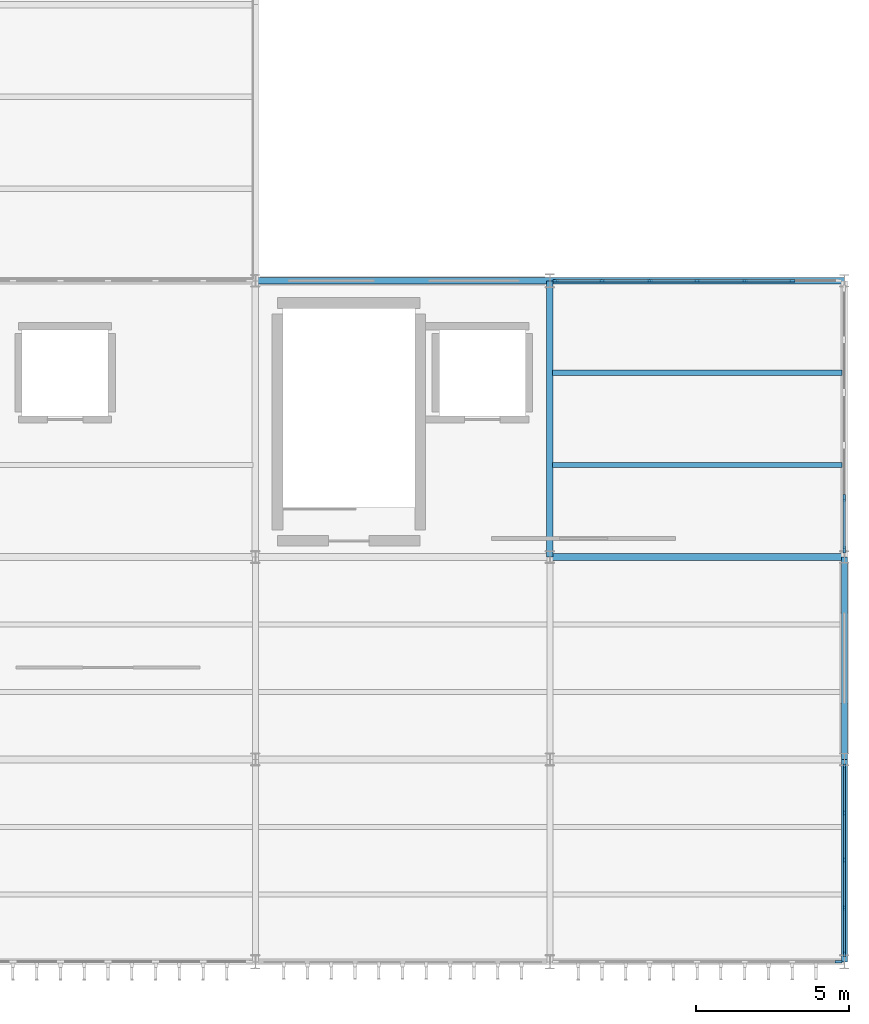
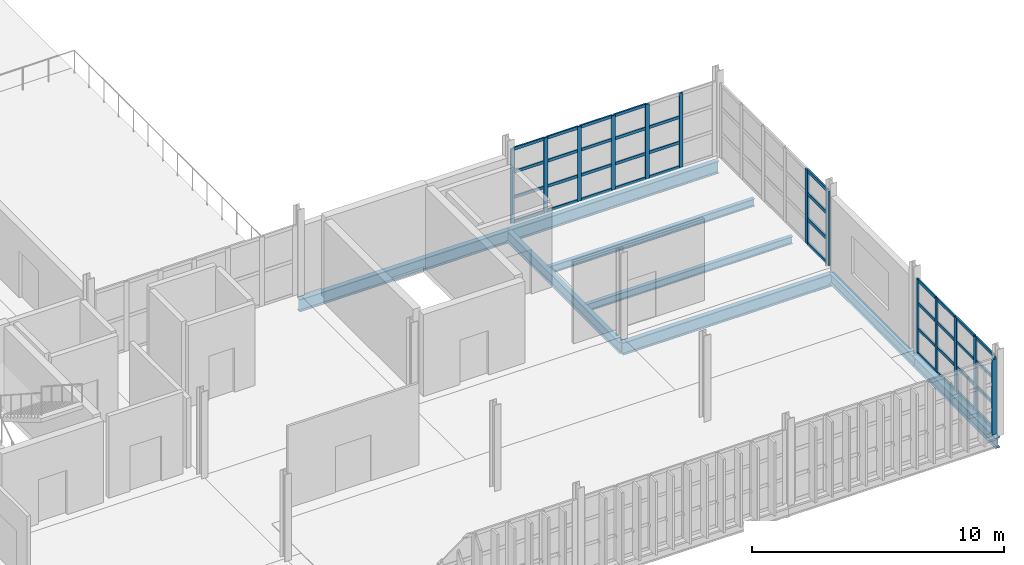
# One storey, part 9 of 38: 53 members, 8 beams, 4 elements without a shape of their own.
"""IFC4 building model written with IfcOpenShell, lengths in metres."""

from ifc_helpers import new_model, si_unit, direction, frame, origin, origin_2d, place, context, subcontext, project, spatial, rectangle, i_section, extrude, material, layer, layer_set, material_profile, profile_set, type_object, element, aggregate, save


model = new_model("IFC4")

# Units and contexts
model_context = context("Model", 3, precision=1e-05, world=origin(), true_north=direction((0.0, 1.0)))
body_context = subcontext(model_context, "Body", "Model", "MODEL_VIEW")
ifc_project = project(units=[si_unit("LENGTHUNIT", "METRE"), si_unit("AREAUNIT", "SQUARE_METRE"), si_unit("VOLUMEUNIT", "CUBIC_METRE"), si_unit("PLANEANGLEUNIT", "RADIAN"), si_unit("MASSUNIT", "GRAM", prefix="KILO")], contexts=[model_context])

# Site, building, storey
site_placement = place(None, origin())
site = spatial("IfcSite", under=ifc_project, at=site_placement, CompositionType="ELEMENT")
building_placement = place(site_placement, origin())
building = spatial("IfcBuilding", under=site, at=building_placement, Name="Zarnetskaya Central Station", CompositionType="ELEMENT")
storey_placement = place(building_placement, frame((0.0, 0.0, 18.60009765625)))
storey = spatial("IfcBuildingStorey", under=building, at=storey_placement, Name="L04", CompositionType="ELEMENT", Elevation=18.60009765625)

# Beams
ifc_material_1 = material(Name="Steel S355", Category="steel")
ifc_material_profile_1 = material_profile(ifc_material_1, i_section(OverallWidth=0.169921875, OverallDepth=0.360107421875, WebThickness=0.008056640625, FlangeThickness=0.0126953125, FilletRadius=0.01806640625, at=origin_2d()), Name="IPE 360")
ifc_profile_set_1 = profile_set([ifc_material_profile_1], Name="Steel S355")
beam_type_1 = type_object("IfcBeamType", Name="BM-SEC-360", PredefinedType="BEAM", material=ifc_profile_set_1)
for number, where, z_axis, x_axis, name in (
    (1, (38.47998046875, 16.199951171875, -0.420166015625), (1.0, 0.0, 0.0), (0.0, 1.0, 0.0), "Secondary floor beam SEC-L04-Z1836-EF-34-1"),
    (2, (38.47998046875, 19.199951171875, -0.420166015625), (1.0, 0.0, 0.0), (0.0, 1.0, 0.0), "Secondary floor beam SEC-L04-Z1836-EF-34-2"),
):
    element("IfcBeam", number, at=place(storey_placement, frame(where, z_axis=z_axis, x_axis=x_axis)), inside=storey, type_object=beam_type_1, Name=name, PredefinedType="BEAM", context=body_context, shape_type="SweptSolid", body=[
        extrude(i_section(OverallWidth=0.169921875, OverallDepth=0.360107421875, WebThickness=0.008056640625, FlangeThickness=0.0126953125, FilletRadius=0.01806640625, at=origin_2d()), origin(), (0.0, 0.0, 1.0), 9.43994140625),
    ])

# Curtain wall, members
ifc_material_2 = material(Name="Low-E insulated glass", Category="glass")
ifc_layer_1 = layer(ifc_material_2, 0.16796875, Name="Low-E insulated glass", Category="glass")
ifc_layer_set_1 = layer_set([ifc_layer_1], Name="Low-E insulated glass")
curtain_wall_type_1 = type_object("IfcCurtainWallType", Name="CW-SYS-08", PredefinedType="USERDEFINED", material=ifc_layer_set_1)
curtain_wall_1_placement = place(storey_placement, origin())
curtain_wall_1 = element("IfcCurtainWall", 3, at=curtain_wall_1_placement, inside=storey, type_object=curtain_wall_type_1, Name="Curtain wall CW-L04-055", ObjectType="CURTAIN WALL", PredefinedType="USERDEFINED")
ifc_material_3 = material(Name="Anodised aluminium", Category="aluminium")
ifc_material_profile_2 = material_profile(ifc_material_3, rectangle(XDim=0.070068359375, YDim=0.179931640625, at=origin_2d()), Name="ALU MULL 70x180")
ifc_profile_set_2 = profile_set([ifc_material_profile_2], Name="Anodised aluminium")
member_type_1 = type_object("IfcMemberType", Name="CW-MULL-180", PredefinedType="MULLION", material=ifc_profile_set_2)
member_1_placement = place(storey_placement, frame((38.5849609375, 22.199951171875, 0.0), z_axis=(0.0, 0.0, 1.0), x_axis=(0.0, 1.0, 0.0)))
member_1 = element("IfcMember", 4, at=member_1_placement, type_object=member_type_1, Name="CW-16 mullion 1", PredefinedType="MULLION", context=body_context, shape_type="SweptSolid", body=[
    extrude(rectangle(XDim=0.070068359375, YDim=0.179931640625, at=origin_2d()), origin(), (0.0, 0.0, 1.0), 3.599853515625),
])
member_2_placement = place(storey_placement, frame((40.10009765625, 22.199951171875, 0.0), z_axis=(0.0, 0.0, 1.0), x_axis=(0.0, 1.0, 0.0)))
member_2 = element("IfcMember", 5, at=member_2_placement, type_object=member_type_1, Name="CW-16 mullion 2", PredefinedType="MULLION", context=body_context, shape_type="SweptSolid", body=[
    extrude(rectangle(XDim=0.070068359375, YDim=0.179931640625, at=origin_2d()), origin(), (0.0, 0.0, 1.0), 3.599853515625),
])
member_3_placement = place(storey_placement, frame((41.64990234375, 22.199951171875, 0.0), z_axis=(0.0, 0.0, 1.0), x_axis=(0.0, 1.0, 0.0)))
member_3 = element("IfcMember", 6, at=member_3_placement, type_object=member_type_1, Name="CW-16 mullion 3", PredefinedType="MULLION", context=body_context, shape_type="SweptSolid", body=[
    extrude(rectangle(XDim=0.070068359375, YDim=0.179931640625, at=origin_2d()), origin(), (0.0, 0.0, 1.0), 3.599853515625),
])
member_4_placement = place(storey_placement, frame((43.199951171875, 22.199951171875, 0.0), z_axis=(0.0, 0.0, 1.0), x_axis=(0.0, 1.0, 0.0)))
member_4 = element("IfcMember", 7, at=member_4_placement, type_object=member_type_1, Name="CW-16 mullion 4", PredefinedType="MULLION", context=body_context, shape_type="SweptSolid", body=[
    extrude(rectangle(XDim=0.070068359375, YDim=0.179931640625, at=origin_2d()), origin(), (0.0, 0.0, 1.0), 3.599853515625),
])
member_5_placement = place(storey_placement, frame((44.75, 22.199951171875, 0.0), z_axis=(0.0, 0.0, 1.0), x_axis=(0.0, 1.0, 0.0)))
member_5 = element("IfcMember", 8, at=member_5_placement, type_object=member_type_1, Name="CW-16 mullion 5", PredefinedType="MULLION", context=body_context, shape_type="SweptSolid", body=[
    extrude(rectangle(XDim=0.070068359375, YDim=0.179931640625, at=origin_2d()), origin(), (0.0, 0.0, 1.0), 3.599853515625),
])
member_6_placement = place(storey_placement, frame((46.300048828125, 22.199951171875, 0.0), z_axis=(0.0, 0.0, 1.0), x_axis=(0.0, 1.0, 0.0)))
member_6 = element("IfcMember", 9, at=member_6_placement, type_object=member_type_1, Name="CW-16 mullion 6", PredefinedType="MULLION", context=body_context, shape_type="SweptSolid", body=[
    extrude(rectangle(XDim=0.070068359375, YDim=0.179931640625, at=origin_2d()), origin(), (0.0, 0.0, 1.0), 3.599853515625),
])

curtain_wall_2_placement = place(storey_placement, origin())
curtain_wall_2 = element("IfcCurtainWall", 10, at=curtain_wall_2_placement, inside=storey, type_object=curtain_wall_type_1, Name="Curtain wall CW-L04-057", ObjectType="CURTAIN WALL", PredefinedType="USERDEFINED")
member_7_placement = place(storey_placement, frame((48.0, 6.364990234375, 0.0), z_axis=(0.0, 0.0, 1.0), x_axis=(1.0, 0.0, 0.0)))
member_7 = element("IfcMember", 11, at=member_7_placement, type_object=member_type_1, Name="CW-16 mullion 1", PredefinedType="MULLION", context=body_context, shape_type="SweptSolid", body=[
    extrude(rectangle(XDim=0.070068359375, YDim=0.179931640625, at=origin_2d()), origin(), (0.0, 0.0, 1.0), 3.599853515625),
])
member_8_placement = place(storey_placement, frame((48.0, 4.856201171875, 0.0), z_axis=(0.0, 0.0, 1.0), x_axis=(1.0, 0.0, 0.0)))
member_8 = element("IfcMember", 12, at=member_8_placement, type_object=member_type_1, Name="CW-16 mullion 2", PredefinedType="MULLION", context=body_context, shape_type="SweptSolid", body=[
    extrude(rectangle(XDim=0.070068359375, YDim=0.179931640625, at=origin_2d()), origin(), (0.0, 0.0, 1.0), 3.599853515625),
])
member_9_placement = place(storey_placement, frame((48.0, 3.3125, 0.0), z_axis=(0.0, 0.0, 1.0), x_axis=(1.0, 0.0, 0.0)))
member_9 = element("IfcMember", 13, at=member_9_placement, type_object=member_type_1, Name="CW-16 mullion 3", PredefinedType="MULLION", context=body_context, shape_type="SweptSolid", body=[
    extrude(rectangle(XDim=0.070068359375, YDim=0.179931640625, at=origin_2d()), origin(), (0.0, 0.0, 1.0), 3.599853515625),
])
member_10_placement = place(storey_placement, frame((48.0, 1.768798828125, 0.0), z_axis=(0.0, 0.0, 1.0), x_axis=(1.0, 0.0, 0.0)))
member_10 = element("IfcMember", 14, at=member_10_placement, type_object=member_type_1, Name="CW-16 mullion 4", PredefinedType="MULLION", context=body_context, shape_type="SweptSolid", body=[
    extrude(rectangle(XDim=0.070068359375, YDim=0.179931640625, at=origin_2d()), origin(), (0.0, 0.0, 1.0), 3.599853515625),
])
member_11_placement = place(storey_placement, frame((48.0, 0.260009765625, 0.0), z_axis=(0.0, 0.0, 1.0), x_axis=(1.0, 0.0, 0.0)))
member_11 = element("IfcMember", 15, at=member_11_placement, type_object=member_type_1, Name="CW-16 mullion 5", PredefinedType="MULLION", context=body_context, shape_type="SweptSolid", body=[
    extrude(rectangle(XDim=0.070068359375, YDim=0.179931640625, at=origin_2d()), origin(), (0.0, 0.0, 1.0), 3.599853515625),
])

ifc_layer_2 = layer(ifc_material_2, 0.159912109375, Name="Low-E insulated glass", Category="glass")
ifc_layer_set_2 = layer_set([ifc_layer_2], Name="Low-E insulated glass")
curtain_wall_type_2 = type_object("IfcCurtainWallType", Name="CW-SYS-06", PredefinedType="USERDEFINED", material=ifc_layer_set_2)
curtain_wall_3_placement = place(storey_placement, origin())
curtain_wall_3 = element("IfcCurtainWall", 16, at=curtain_wall_3_placement, inside=storey, type_object=curtain_wall_type_2, Name="Curtain wall CW-L04-056", ObjectType="CURTAIN WALL", PredefinedType="USERDEFINED")
ifc_material_profile_3 = material_profile(ifc_material_3, rectangle(XDim=0.080078125, YDim=0.219970703125, at=origin_2d()), Name="ALU MULL 80x220")
ifc_profile_set_3 = profile_set([ifc_material_profile_3], Name="Anodised aluminium")
member_type_2 = type_object("IfcMemberType", Name="CW-MULL-220", PredefinedType="MULLION", material=ifc_profile_set_3)
member_12_placement = place(storey_placement, frame((48.0, 15.1201171875, 0.0), z_axis=(0.0, 0.0, 1.0), x_axis=(1.0, 0.0, 0.0)))
member_12 = element("IfcMember", 17, at=member_12_placement, type_object=member_type_2, Name="CW-02 mullion 5", PredefinedType="MULLION", context=body_context, shape_type="SweptSolid", body=[
    extrude(rectangle(XDim=0.080078125, YDim=0.219970703125, at=origin_2d()), origin(), (0.0, 0.0, 1.0), 3.599853515625),
])
member_13_placement = place(storey_placement, frame((48.0, 13.43994140625, 0.0), z_axis=(0.0, 0.0, 1.0), x_axis=(1.0, 0.0, 0.0)))
member_13 = element("IfcMember", 18, at=member_13_placement, type_object=member_type_2, Name="CW-02 mullion 6", PredefinedType="MULLION", context=body_context, shape_type="SweptSolid", body=[
    extrude(rectangle(XDim=0.080078125, YDim=0.219970703125, at=origin_2d()), origin(), (0.0, 0.0, 1.0), 3.599853515625),
])

# Curtain wall, member
curtain_wall_4_placement = place(storey_placement, origin())
curtain_wall_4 = element("IfcCurtainWall", 19, at=curtain_wall_4_placement, inside=storey, type_object=curtain_wall_type_2, Name="Curtain wall CW-L04-058", ObjectType="CURTAIN WALL", PredefinedType="USERDEFINED")
member_14_placement = place(storey_placement, frame((47.81005859375, 0.0, 0.0), z_axis=(0.0, 0.0, 1.0), x_axis=(0.0, -1.0, 0.0)))
member_14 = element("IfcMember", 20, at=member_14_placement, type_object=member_type_2, Name="CW-02 mullion 1", PredefinedType="MULLION", context=body_context, shape_type="SweptSolid", body=[
    extrude(rectangle(XDim=0.080078125, YDim=0.219970703125, at=origin_2d()), origin(), (0.0, 0.0, 1.0), 3.639892578125),
])
aggregate(curtain_wall_4, [member_14])

# Member
ifc_material_profile_4 = material_profile(ifc_material_3, rectangle(XDim=0.070068359375, YDim=0.139892578125, at=origin_2d()), Name="ALU TRAN 70x140")
ifc_profile_set_4 = profile_set([ifc_material_profile_4], Name="Anodised aluminium")
member_type_3 = type_object("IfcMemberType", Name="CW-TRAN-140", PredefinedType="USERDEFINED", material=ifc_profile_set_4)
member_15_placement = place(storey_placement, frame((38.6201171875, 22.199951171875, 0.034912109375), z_axis=(1.0, 0.0, 0.0), x_axis=(0.0, 1.0, 0.0)))
member_15 = element("IfcMember", 21, at=member_15_placement, type_object=member_type_3, Name="CW-16 transom 1.1", ObjectType="TRANSOM", PredefinedType="USERDEFINED", context=body_context, shape_type="SweptSolid", body=[
    extrude(rectangle(XDim=0.070068359375, YDim=0.139892578125, at=origin_2d()), origin(), (0.0, 0.0, 1.0), 1.44482421875),
])

member_16_placement = place(storey_placement, frame((38.6201171875, 22.199951171875, 1.223876953125), z_axis=(1.0, 0.0, 0.0), x_axis=(0.0, 1.0, 0.0)))
member_16 = element("IfcMember", 22, at=member_16_placement, type_object=member_type_3, Name="CW-16 transom 1.2", ObjectType="TRANSOM", PredefinedType="USERDEFINED", context=body_context, shape_type="SweptSolid", body=[
    extrude(rectangle(XDim=0.070068359375, YDim=0.139892578125, at=origin_2d()), origin(), (0.0, 0.0, 1.0), 1.44482421875),
])

member_17_placement = place(storey_placement, frame((38.6201171875, 22.199951171875, 2.447998046875), z_axis=(1.0, 0.0, 0.0), x_axis=(0.0, 1.0, 0.0)))
member_17 = element("IfcMember", 23, at=member_17_placement, type_object=member_type_3, Name="CW-16 transom 1.3", ObjectType="TRANSOM", PredefinedType="USERDEFINED", context=body_context, shape_type="SweptSolid", body=[
    extrude(rectangle(XDim=0.070068359375, YDim=0.139892578125, at=origin_2d()), origin(), (0.0, 0.0, 1.0), 1.44482421875),
])

member_18_placement = place(storey_placement, frame((38.6201171875, 22.199951171875, 3.56494140625), z_axis=(1.0, 0.0, 0.0), x_axis=(0.0, 1.0, 0.0)))
member_18 = element("IfcMember", 24, at=member_18_placement, type_object=member_type_3, Name="CW-16 transom 1.4", ObjectType="TRANSOM", PredefinedType="USERDEFINED", context=body_context, shape_type="SweptSolid", body=[
    extrude(rectangle(XDim=0.070068359375, YDim=0.139892578125, at=origin_2d()), origin(), (0.0, 0.0, 1.0), 1.44482421875),
])

member_19_placement = place(storey_placement, frame((40.135009765625, 22.199951171875, 0.034912109375), z_axis=(1.0, 0.0, 0.0), x_axis=(0.0, 1.0, 0.0)))
member_19 = element("IfcMember", 25, at=member_19_placement, type_object=member_type_3, Name="CW-16 transom 2.1", ObjectType="TRANSOM", PredefinedType="USERDEFINED", context=body_context, shape_type="SweptSolid", body=[
    extrude(rectangle(XDim=0.070068359375, YDim=0.139892578125, at=origin_2d()), origin(), (0.0, 0.0, 1.0), 1.47998046875),
])

member_20_placement = place(storey_placement, frame((40.135009765625, 22.199951171875, 1.223876953125), z_axis=(1.0, 0.0, 0.0), x_axis=(0.0, 1.0, 0.0)))
member_20 = element("IfcMember", 26, at=member_20_placement, type_object=member_type_3, Name="CW-16 transom 2.2", ObjectType="TRANSOM", PredefinedType="USERDEFINED", context=body_context, shape_type="SweptSolid", body=[
    extrude(rectangle(XDim=0.070068359375, YDim=0.139892578125, at=origin_2d()), origin(), (0.0, 0.0, 1.0), 1.47998046875),
])

member_21_placement = place(storey_placement, frame((40.135009765625, 22.199951171875, 2.447998046875), z_axis=(1.0, 0.0, 0.0), x_axis=(0.0, 1.0, 0.0)))
member_21 = element("IfcMember", 27, at=member_21_placement, type_object=member_type_3, Name="CW-16 transom 2.3", ObjectType="TRANSOM", PredefinedType="USERDEFINED", context=body_context, shape_type="SweptSolid", body=[
    extrude(rectangle(XDim=0.070068359375, YDim=0.139892578125, at=origin_2d()), origin(), (0.0, 0.0, 1.0), 1.47998046875),
])

member_22_placement = place(storey_placement, frame((40.135009765625, 22.199951171875, 3.56494140625), z_axis=(1.0, 0.0, 0.0), x_axis=(0.0, 1.0, 0.0)))
member_22 = element("IfcMember", 28, at=member_22_placement, type_object=member_type_3, Name="CW-16 transom 2.4", ObjectType="TRANSOM", PredefinedType="USERDEFINED", context=body_context, shape_type="SweptSolid", body=[
    extrude(rectangle(XDim=0.070068359375, YDim=0.139892578125, at=origin_2d()), origin(), (0.0, 0.0, 1.0), 1.47998046875),
])

member_23_placement = place(storey_placement, frame((41.68505859375, 22.199951171875, 0.034912109375), z_axis=(1.0, 0.0, 0.0), x_axis=(0.0, 1.0, 0.0)))
member_23 = element("IfcMember", 29, at=member_23_placement, type_object=member_type_3, Name="CW-16 transom 3.1", ObjectType="TRANSOM", PredefinedType="USERDEFINED", context=body_context, shape_type="SweptSolid", body=[
    extrude(rectangle(XDim=0.070068359375, YDim=0.139892578125, at=origin_2d()), origin(), (0.0, 0.0, 1.0), 1.47998046875),
])

member_24_placement = place(storey_placement, frame((41.68505859375, 22.199951171875, 1.223876953125), z_axis=(1.0, 0.0, 0.0), x_axis=(0.0, 1.0, 0.0)))
member_24 = element("IfcMember", 30, at=member_24_placement, type_object=member_type_3, Name="CW-16 transom 3.2", ObjectType="TRANSOM", PredefinedType="USERDEFINED", context=body_context, shape_type="SweptSolid", body=[
    extrude(rectangle(XDim=0.070068359375, YDim=0.139892578125, at=origin_2d()), origin(), (0.0, 0.0, 1.0), 1.47998046875),
])

member_25_placement = place(storey_placement, frame((41.68505859375, 22.199951171875, 2.447998046875), z_axis=(1.0, 0.0, 0.0), x_axis=(0.0, 1.0, 0.0)))
member_25 = element("IfcMember", 31, at=member_25_placement, type_object=member_type_3, Name="CW-16 transom 3.3", ObjectType="TRANSOM", PredefinedType="USERDEFINED", context=body_context, shape_type="SweptSolid", body=[
    extrude(rectangle(XDim=0.070068359375, YDim=0.139892578125, at=origin_2d()), origin(), (0.0, 0.0, 1.0), 1.47998046875),
])

member_26_placement = place(storey_placement, frame((41.68505859375, 22.199951171875, 3.56494140625), z_axis=(1.0, 0.0, 0.0), x_axis=(0.0, 1.0, 0.0)))
member_26 = element("IfcMember", 32, at=member_26_placement, type_object=member_type_3, Name="CW-16 transom 3.4", ObjectType="TRANSOM", PredefinedType="USERDEFINED", context=body_context, shape_type="SweptSolid", body=[
    extrude(rectangle(XDim=0.070068359375, YDim=0.139892578125, at=origin_2d()), origin(), (0.0, 0.0, 1.0), 1.47998046875),
])

member_27_placement = place(storey_placement, frame((43.235107421875, 22.199951171875, 0.034912109375), z_axis=(1.0, 0.0, 0.0), x_axis=(0.0, 1.0, 0.0)))
member_27 = element("IfcMember", 33, at=member_27_placement, type_object=member_type_3, Name="CW-16 transom 4.1", ObjectType="TRANSOM", PredefinedType="USERDEFINED", context=body_context, shape_type="SweptSolid", body=[
    extrude(rectangle(XDim=0.070068359375, YDim=0.139892578125, at=origin_2d()), origin(), (0.0, 0.0, 1.0), 1.47998046875),
])

member_28_placement = place(storey_placement, frame((43.235107421875, 22.199951171875, 1.223876953125), z_axis=(1.0, 0.0, 0.0), x_axis=(0.0, 1.0, 0.0)))
member_28 = element("IfcMember", 34, at=member_28_placement, type_object=member_type_3, Name="CW-16 transom 4.2", ObjectType="TRANSOM", PredefinedType="USERDEFINED", context=body_context, shape_type="SweptSolid", body=[
    extrude(rectangle(XDim=0.070068359375, YDim=0.139892578125, at=origin_2d()), origin(), (0.0, 0.0, 1.0), 1.47998046875),
])

member_29_placement = place(storey_placement, frame((43.235107421875, 22.199951171875, 2.447998046875), z_axis=(1.0, 0.0, 0.0), x_axis=(0.0, 1.0, 0.0)))
member_29 = element("IfcMember", 35, at=member_29_placement, type_object=member_type_3, Name="CW-16 transom 4.3", ObjectType="TRANSOM", PredefinedType="USERDEFINED", context=body_context, shape_type="SweptSolid", body=[
    extrude(rectangle(XDim=0.070068359375, YDim=0.139892578125, at=origin_2d()), origin(), (0.0, 0.0, 1.0), 1.47998046875),
])

member_30_placement = place(storey_placement, frame((43.235107421875, 22.199951171875, 3.56494140625), z_axis=(1.0, 0.0, 0.0), x_axis=(0.0, 1.0, 0.0)))
member_30 = element("IfcMember", 36, at=member_30_placement, type_object=member_type_3, Name="CW-16 transom 4.4", ObjectType="TRANSOM", PredefinedType="USERDEFINED", context=body_context, shape_type="SweptSolid", body=[
    extrude(rectangle(XDim=0.070068359375, YDim=0.139892578125, at=origin_2d()), origin(), (0.0, 0.0, 1.0), 1.47998046875),
])

member_31_placement = place(storey_placement, frame((44.784912109375, 22.199951171875, 0.034912109375), z_axis=(1.0, 0.0, 0.0), x_axis=(0.0, 1.0, 0.0)))
member_31 = element("IfcMember", 37, at=member_31_placement, type_object=member_type_3, Name="CW-16 transom 5.1", ObjectType="TRANSOM", PredefinedType="USERDEFINED", context=body_context, shape_type="SweptSolid", body=[
    extrude(rectangle(XDim=0.070068359375, YDim=0.139892578125, at=origin_2d()), origin(), (0.0, 0.0, 1.0), 1.47998046875),
])

member_32_placement = place(storey_placement, frame((44.784912109375, 22.199951171875, 1.223876953125), z_axis=(1.0, 0.0, 0.0), x_axis=(0.0, 1.0, 0.0)))
member_32 = element("IfcMember", 38, at=member_32_placement, type_object=member_type_3, Name="CW-16 transom 5.2", ObjectType="TRANSOM", PredefinedType="USERDEFINED", context=body_context, shape_type="SweptSolid", body=[
    extrude(rectangle(XDim=0.070068359375, YDim=0.139892578125, at=origin_2d()), origin(), (0.0, 0.0, 1.0), 1.47998046875),
])

member_33_placement = place(storey_placement, frame((44.784912109375, 22.199951171875, 2.447998046875), z_axis=(1.0, 0.0, 0.0), x_axis=(0.0, 1.0, 0.0)))
member_33 = element("IfcMember", 39, at=member_33_placement, type_object=member_type_3, Name="CW-16 transom 5.3", ObjectType="TRANSOM", PredefinedType="USERDEFINED", context=body_context, shape_type="SweptSolid", body=[
    extrude(rectangle(XDim=0.070068359375, YDim=0.139892578125, at=origin_2d()), origin(), (0.0, 0.0, 1.0), 1.47998046875),
])

aggregate(curtain_wall_1, [member_1, member_2, member_3, member_4, member_5, member_6, member_15, member_16, member_17, member_18, member_19, member_20, member_21, member_22, member_23, member_24, member_25, member_26, member_27, member_28, member_29, member_30, member_31, member_32, member_33])

member_34_placement = place(storey_placement, frame((48.0, 6.330078125, 0.034912109375), z_axis=(0.0, -1.0, 0.0), x_axis=(1.0, 0.0, 0.0)))
member_34 = element("IfcMember", 40, at=member_34_placement, type_object=member_type_3, Name="CW-16 transom 1.1", ObjectType="TRANSOM", PredefinedType="USERDEFINED", context=body_context, shape_type="SweptSolid", body=[
    extrude(rectangle(XDim=0.070068359375, YDim=0.139892578125, at=origin_2d()), origin(), (0.0, 0.0, 1.0), 1.438720703125),
])

member_35_placement = place(storey_placement, frame((48.0, 6.330078125, 1.223876953125), z_axis=(0.0, -1.0, 0.0), x_axis=(1.0, 0.0, 0.0)))
member_35 = element("IfcMember", 41, at=member_35_placement, type_object=member_type_3, Name="CW-16 transom 1.2", ObjectType="TRANSOM", PredefinedType="USERDEFINED", context=body_context, shape_type="SweptSolid", body=[
    extrude(rectangle(XDim=0.070068359375, YDim=0.139892578125, at=origin_2d()), origin(), (0.0, 0.0, 1.0), 1.438720703125),
])

member_36_placement = place(storey_placement, frame((48.0, 6.330078125, 2.447998046875), z_axis=(0.0, -1.0, 0.0), x_axis=(1.0, 0.0, 0.0)))
member_36 = element("IfcMember", 42, at=member_36_placement, type_object=member_type_3, Name="CW-16 transom 1.3", ObjectType="TRANSOM", PredefinedType="USERDEFINED", context=body_context, shape_type="SweptSolid", body=[
    extrude(rectangle(XDim=0.070068359375, YDim=0.139892578125, at=origin_2d()), origin(), (0.0, 0.0, 1.0), 1.438720703125),
])

member_37_placement = place(storey_placement, frame((48.0, 6.330078125, 3.56494140625), z_axis=(0.0, -1.0, 0.0), x_axis=(1.0, 0.0, 0.0)))
member_37 = element("IfcMember", 43, at=member_37_placement, type_object=member_type_3, Name="CW-16 transom 1.4", ObjectType="TRANSOM", PredefinedType="USERDEFINED", context=body_context, shape_type="SweptSolid", body=[
    extrude(rectangle(XDim=0.070068359375, YDim=0.139892578125, at=origin_2d()), origin(), (0.0, 0.0, 1.0), 1.438720703125),
])

member_38_placement = place(storey_placement, frame((48.0, 4.8212890625, 0.034912109375), z_axis=(0.0, -1.0, 0.0), x_axis=(1.0, 0.0, 0.0)))
member_38 = element("IfcMember", 44, at=member_38_placement, type_object=member_type_3, Name="CW-16 transom 2.1", ObjectType="TRANSOM", PredefinedType="USERDEFINED", context=body_context, shape_type="SweptSolid", body=[
    extrude(rectangle(XDim=0.070068359375, YDim=0.139892578125, at=origin_2d()), origin(), (0.0, 0.0, 1.0), 1.473876953125),
])

member_39_placement = place(storey_placement, frame((48.0, 4.8212890625, 1.223876953125), z_axis=(0.0, -1.0, 0.0), x_axis=(1.0, 0.0, 0.0)))
member_39 = element("IfcMember", 45, at=member_39_placement, type_object=member_type_3, Name="CW-16 transom 2.2", ObjectType="TRANSOM", PredefinedType="USERDEFINED", context=body_context, shape_type="SweptSolid", body=[
    extrude(rectangle(XDim=0.070068359375, YDim=0.139892578125, at=origin_2d()), origin(), (0.0, 0.0, 1.0), 1.473876953125),
])

member_40_placement = place(storey_placement, frame((48.0, 4.8212890625, 2.447998046875), z_axis=(0.0, -1.0, 0.0), x_axis=(1.0, 0.0, 0.0)))
member_40 = element("IfcMember", 46, at=member_40_placement, type_object=member_type_3, Name="CW-16 transom 2.3", ObjectType="TRANSOM", PredefinedType="USERDEFINED", context=body_context, shape_type="SweptSolid", body=[
    extrude(rectangle(XDim=0.070068359375, YDim=0.139892578125, at=origin_2d()), origin(), (0.0, 0.0, 1.0), 1.473876953125),
])

member_41_placement = place(storey_placement, frame((48.0, 4.8212890625, 3.56494140625), z_axis=(0.0, -1.0, 0.0), x_axis=(1.0, 0.0, 0.0)))
member_41 = element("IfcMember", 47, at=member_41_placement, type_object=member_type_3, Name="CW-16 transom 2.4", ObjectType="TRANSOM", PredefinedType="USERDEFINED", context=body_context, shape_type="SweptSolid", body=[
    extrude(rectangle(XDim=0.070068359375, YDim=0.139892578125, at=origin_2d()), origin(), (0.0, 0.0, 1.0), 1.473876953125),
])

member_42_placement = place(storey_placement, frame((48.0, 3.277587890625, 0.034912109375), z_axis=(0.0, -1.0, 0.0), x_axis=(1.0, 0.0, 0.0)))
member_42 = element("IfcMember", 48, at=member_42_placement, type_object=member_type_3, Name="CW-16 transom 3.1", ObjectType="TRANSOM", PredefinedType="USERDEFINED", context=body_context, shape_type="SweptSolid", body=[
    extrude(rectangle(XDim=0.070068359375, YDim=0.139892578125, at=origin_2d()), origin(), (0.0, 0.0, 1.0), 1.473876953125),
])

member_43_placement = place(storey_placement, frame((48.0, 3.277587890625, 1.223876953125), z_axis=(0.0, -1.0, 0.0), x_axis=(1.0, 0.0, 0.0)))
member_43 = element("IfcMember", 49, at=member_43_placement, type_object=member_type_3, Name="CW-16 transom 3.2", ObjectType="TRANSOM", PredefinedType="USERDEFINED", context=body_context, shape_type="SweptSolid", body=[
    extrude(rectangle(XDim=0.070068359375, YDim=0.139892578125, at=origin_2d()), origin(), (0.0, 0.0, 1.0), 1.473876953125),
])

member_44_placement = place(storey_placement, frame((48.0, 3.277587890625, 2.447998046875), z_axis=(0.0, -1.0, 0.0), x_axis=(1.0, 0.0, 0.0)))
member_44 = element("IfcMember", 50, at=member_44_placement, type_object=member_type_3, Name="CW-16 transom 3.3", ObjectType="TRANSOM", PredefinedType="USERDEFINED", context=body_context, shape_type="SweptSolid", body=[
    extrude(rectangle(XDim=0.070068359375, YDim=0.139892578125, at=origin_2d()), origin(), (0.0, 0.0, 1.0), 1.473876953125),
])

member_45_placement = place(storey_placement, frame((48.0, 3.277587890625, 3.56494140625), z_axis=(0.0, -1.0, 0.0), x_axis=(1.0, 0.0, 0.0)))
member_45 = element("IfcMember", 51, at=member_45_placement, type_object=member_type_3, Name="CW-16 transom 3.4", ObjectType="TRANSOM", PredefinedType="USERDEFINED", context=body_context, shape_type="SweptSolid", body=[
    extrude(rectangle(XDim=0.070068359375, YDim=0.139892578125, at=origin_2d()), origin(), (0.0, 0.0, 1.0), 1.473876953125),
])

member_46_placement = place(storey_placement, frame((48.0, 1.733642578125, 0.034912109375), z_axis=(0.0, -1.0, 0.0), x_axis=(1.0, 0.0, 0.0)))
member_46 = element("IfcMember", 52, at=member_46_placement, type_object=member_type_3, Name="CW-16 transom 4.1", ObjectType="TRANSOM", PredefinedType="USERDEFINED", context=body_context, shape_type="SweptSolid", body=[
    extrude(rectangle(XDim=0.070068359375, YDim=0.139892578125, at=origin_2d()), origin(), (0.0, 0.0, 1.0), 1.438720703125),
])

member_47_placement = place(storey_placement, frame((48.0, 1.733642578125, 1.223876953125), z_axis=(0.0, -1.0, 0.0), x_axis=(1.0, 0.0, 0.0)))
member_47 = element("IfcMember", 53, at=member_47_placement, type_object=member_type_3, Name="CW-16 transom 4.2", ObjectType="TRANSOM", PredefinedType="USERDEFINED", context=body_context, shape_type="SweptSolid", body=[
    extrude(rectangle(XDim=0.070068359375, YDim=0.139892578125, at=origin_2d()), origin(), (0.0, 0.0, 1.0), 1.438720703125),
])

member_48_placement = place(storey_placement, frame((48.0, 1.733642578125, 2.447998046875), z_axis=(0.0, -1.0, 0.0), x_axis=(1.0, 0.0, 0.0)))
member_48 = element("IfcMember", 54, at=member_48_placement, type_object=member_type_3, Name="CW-16 transom 4.3", ObjectType="TRANSOM", PredefinedType="USERDEFINED", context=body_context, shape_type="SweptSolid", body=[
    extrude(rectangle(XDim=0.070068359375, YDim=0.139892578125, at=origin_2d()), origin(), (0.0, 0.0, 1.0), 1.438720703125),
])

member_49_placement = place(storey_placement, frame((48.0, 1.733642578125, 3.56494140625), z_axis=(0.0, -1.0, 0.0), x_axis=(1.0, 0.0, 0.0)))
member_49 = element("IfcMember", 55, at=member_49_placement, type_object=member_type_3, Name="CW-16 transom 4.4", ObjectType="TRANSOM", PredefinedType="USERDEFINED", context=body_context, shape_type="SweptSolid", body=[
    extrude(rectangle(XDim=0.070068359375, YDim=0.139892578125, at=origin_2d()), origin(), (0.0, 0.0, 1.0), 1.438720703125),
])

aggregate(curtain_wall_2, [member_7, member_8, member_9, member_10, member_11, member_34, member_35, member_36, member_37, member_38, member_39, member_40, member_41, member_42, member_43, member_44, member_45, member_46, member_47, member_48, member_49])

ifc_material_profile_5 = material_profile(ifc_material_3, rectangle(XDim=0.080078125, YDim=0.159912109375, at=origin_2d()), Name="ALU TRAN 80x160")
ifc_profile_set_5 = profile_set([ifc_material_profile_5], Name="Anodised aluminium")
member_type_4 = type_object("IfcMemberType", Name="CW-TRAN-160", PredefinedType="USERDEFINED", material=ifc_profile_set_5)
member_50_placement = place(storey_placement, frame((48.0, 15.080078125, 0.039794921875), z_axis=(0.0, -1.0, 0.0), x_axis=(1.0, 0.0, 0.0)))
member_50 = element("IfcMember", 56, at=member_50_placement, type_object=member_type_4, Name="CW-02 transom 5.1", ObjectType="TRANSOM", PredefinedType="USERDEFINED", context=body_context, shape_type="SweptSolid", body=[
    extrude(rectangle(XDim=0.080078125, YDim=0.159912109375, at=origin_2d()), origin(), (0.0, 0.0, 1.0), 1.60009765625),
])

member_51_placement = place(storey_placement, frame((48.0, 15.080078125, 1.223876953125), z_axis=(0.0, -1.0, 0.0), x_axis=(1.0, 0.0, 0.0)))
member_51 = element("IfcMember", 57, at=member_51_placement, type_object=member_type_4, Name="CW-02 transom 5.2", ObjectType="TRANSOM", PredefinedType="USERDEFINED", context=body_context, shape_type="SweptSolid", body=[
    extrude(rectangle(XDim=0.080078125, YDim=0.159912109375, at=origin_2d()), origin(), (0.0, 0.0, 1.0), 1.60009765625),
])

member_52_placement = place(storey_placement, frame((48.0, 15.080078125, 2.447998046875), z_axis=(0.0, -1.0, 0.0), x_axis=(1.0, 0.0, 0.0)))
member_52 = element("IfcMember", 58, at=member_52_placement, type_object=member_type_4, Name="CW-02 transom 5.3", ObjectType="TRANSOM", PredefinedType="USERDEFINED", context=body_context, shape_type="SweptSolid", body=[
    extrude(rectangle(XDim=0.080078125, YDim=0.159912109375, at=origin_2d()), origin(), (0.0, 0.0, 1.0), 1.60009765625),
])

member_53_placement = place(storey_placement, frame((48.0, 15.080078125, 3.559814453125), z_axis=(0.0, -1.0, 0.0), x_axis=(1.0, 0.0, 0.0)))
member_53 = element("IfcMember", 59, at=member_53_placement, type_object=member_type_4, Name="CW-02 transom 5.4", ObjectType="TRANSOM", PredefinedType="USERDEFINED", context=body_context, shape_type="SweptSolid", body=[
    extrude(rectangle(XDim=0.080078125, YDim=0.159912109375, at=origin_2d()), origin(), (0.0, 0.0, 1.0), 1.60009765625),
])

aggregate(curtain_wall_3, [member_12, member_13, member_50, member_51, member_52, member_53])

# Beams
ifc_material_profile_6 = material_profile(ifc_material_1, i_section(OverallWidth=0.199951171875, OverallDepth=0.5, WebThickness=0.01025390625, FlangeThickness=0.01611328125, FilletRadius=0.02099609375, at=origin_2d()), Name="IPE 500")
ifc_profile_set_6 = profile_set([ifc_material_profile_6], Name="Steel S355")
beam_type_2 = type_object("IfcBeamType", Name="GD-FLR-500", PredefinedType="USERDEFINED", material=ifc_profile_set_6)
beam_1_placement = place(storey_placement, frame((48.0, 0.0, -0.489990234375), z_axis=(0.0, 1.0, 0.0), x_axis=(-1.0, 0.0, 0.0)))
element("IfcBeam", 60, at=beam_1_placement, inside=storey, type_object=beam_type_2, Name="Grid girder GY-L04-F-12", ObjectType="GIRDER", PredefinedType="USERDEFINED", context=body_context, shape_type="SweptSolid", body=[
    extrude(i_section(OverallWidth=0.199951171875, OverallDepth=0.5, WebThickness=0.01025390625, FlangeThickness=0.01611328125, FilletRadius=0.02099609375, at=origin_2d()), origin(), (0.0, 0.0, 1.0), 6.60009765625),
])
beam_2_placement = place(storey_placement, frame((48.0, 6.60009765625, -0.489990234375), z_axis=(0.0, 1.0, 0.0), x_axis=(-1.0, 0.0, 0.0)))
element("IfcBeam", 61, at=beam_2_placement, inside=storey, type_object=beam_type_2, Name="Grid girder GY-L04-F-23", ObjectType="GIRDER", PredefinedType="USERDEFINED", context=body_context, shape_type="SweptSolid", body=[
    extrude(i_section(OverallWidth=0.199951171875, OverallDepth=0.5, WebThickness=0.01025390625, FlangeThickness=0.01611328125, FilletRadius=0.02099609375, at=origin_2d()), origin(), (0.0, 0.0, 1.0), 6.599853515625),
])
ifc_material_profile_7 = material_profile(ifc_material_1, i_section(OverallWidth=0.2099609375, OverallDepth=0.550048828125, WebThickness=0.010986328125, FlangeThickness=0.01708984375, FilletRadius=0.02392578125, at=origin_2d()), Name="IPE 550")
ifc_profile_set_7 = profile_set([ifc_material_profile_7], Name="Steel S355")
beam_type_3 = type_object("IfcBeamType", Name="GD-FLR-550", PredefinedType="USERDEFINED", material=ifc_profile_set_7)
beam_3_placement = place(storey_placement, frame((38.39990234375, 13.199951171875, -0.51513671875), z_axis=(0.0, 1.0, 0.0), x_axis=(-1.0, 0.0, 0.0)))
element("IfcBeam", 62, at=beam_3_placement, inside=storey, type_object=beam_type_3, Name="Grid girder GY-L04-E-34", ObjectType="GIRDER", PredefinedType="USERDEFINED", context=body_context, shape_type="SweptSolid", body=[
    extrude(i_section(OverallWidth=0.2099609375, OverallDepth=0.550048828125, WebThickness=0.010986328125, FlangeThickness=0.01708984375, FilletRadius=0.02392578125, at=origin_2d()), origin(), (0.0, 0.0, 1.0), 9.0),
])
ifc_material_profile_8 = material_profile(ifc_material_1, i_section(OverallWidth=0.219970703125, OverallDepth=0.60009765625, WebThickness=0.011962890625, FlangeThickness=0.01904296875, FilletRadius=0.02392578125, at=origin_2d()), Name="IPE 600")
ifc_profile_set_8 = profile_set([ifc_material_profile_8], Name="Steel S355")
beam_type_4 = type_object("IfcBeamType", Name="GD-FLR-600", PredefinedType="USERDEFINED", material=ifc_profile_set_8)
beam_4_placement = place(storey_placement, frame((28.800048828125, 22.199951171875, -0.5400390625), z_axis=(1.0, 0.0, 0.0), x_axis=(0.0, 1.0, 0.0)))
element("IfcBeam", 63, at=beam_4_placement, inside=storey, type_object=beam_type_4, Name="Grid girder GX-L04-4-DE", ObjectType="GIRDER", PredefinedType="USERDEFINED", context=body_context, shape_type="SweptSolid", body=[
    extrude(i_section(OverallWidth=0.219970703125, OverallDepth=0.60009765625, WebThickness=0.011962890625, FlangeThickness=0.01904296875, FilletRadius=0.02392578125, at=origin_2d()), origin(), (0.0, 0.0, 1.0), 9.599853515625),
])
for number, where, z_axis, x_axis, name in (
    (64, (38.39990234375, 13.199951171875, -0.5400390625), (1.0, 0.0, 0.0), (0.0, 1.0, 0.0), "Grid girder GX-L04-3-EF"),
    (65, (38.39990234375, 22.199951171875, -0.5400390625), (1.0, 0.0, 0.0), (0.0, 1.0, 0.0), "Grid girder GX-L04-4-EF"),
):
    element("IfcBeam", number, at=place(storey_placement, frame(where, z_axis=z_axis, x_axis=x_axis)), inside=storey, type_object=beam_type_4, Name=name, ObjectType="GIRDER", PredefinedType="USERDEFINED", context=body_context, shape_type="SweptSolid", body=[
        extrude(i_section(OverallWidth=0.219970703125, OverallDepth=0.60009765625, WebThickness=0.011962890625, FlangeThickness=0.01904296875, FilletRadius=0.02392578125, at=origin_2d()), origin(), (0.0, 0.0, 1.0), 9.60009765625),
    ])

save(model, "model.ifc")
